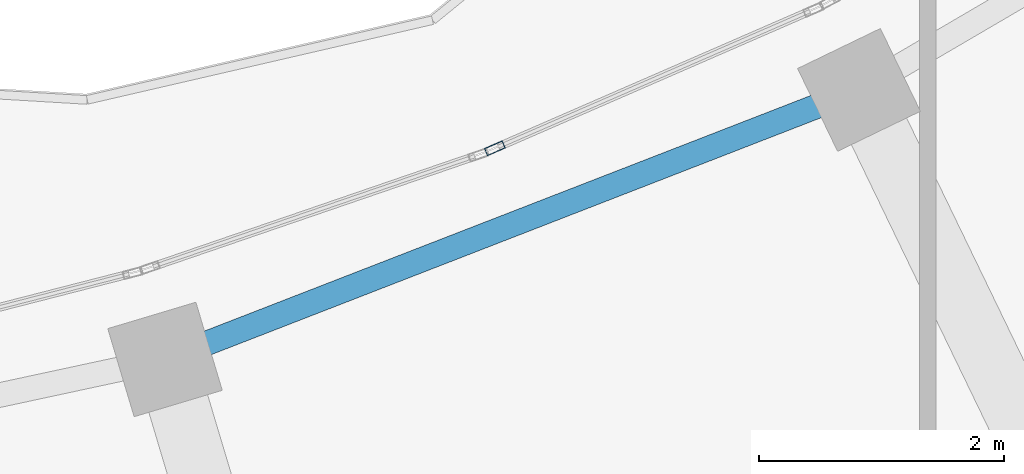
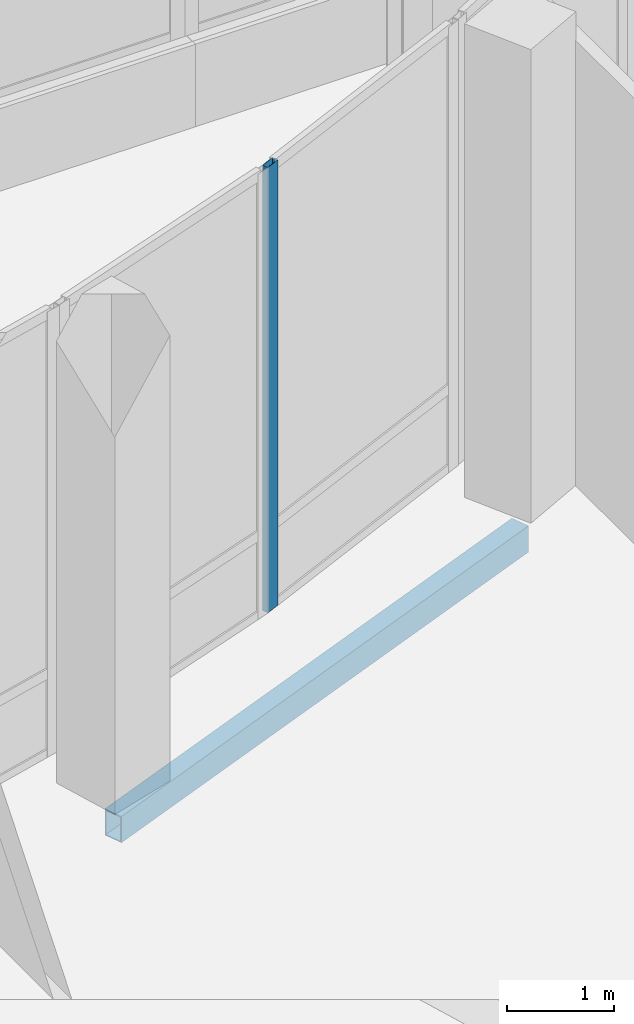
# One storey, part 39 of 158: 1 beam, 1 member, 1 element without a shape of its own.
"""IFC4 building model written with IfcOpenShell, lengths in metres."""

from ifc_helpers import new_model, si_unit, direction, frame, origin, origin_2d, place, context, subcontext, project, spatial, hollow_rectangle, extrude, material, material_profile, profile_set, type_object, element, aggregate, save


model = new_model("IFC4")

# Units and contexts
model_context = context("Model", 3, precision=1e-05, world=origin(), true_north=direction((0.0, 1.0)))
body_context = subcontext(model_context, "Body", "Model", "MODEL_VIEW")
ifc_project = project(units=[si_unit("LENGTHUNIT", "METRE"), si_unit("AREAUNIT", "SQUARE_METRE"), si_unit("VOLUMEUNIT", "CUBIC_METRE"), si_unit("PLANEANGLEUNIT", "RADIAN"), si_unit("MASSUNIT", "GRAM", prefix="KILO")], contexts=[model_context])

# Site, building, storey
site_placement = place(None, origin())
site = spatial("IfcSite", under=ifc_project, at=site_placement, CompositionType="ELEMENT")
building_placement = place(site_placement, origin())
building = spatial("IfcBuilding", under=site, at=building_placement, Name="Selatvlak General Hospital", CompositionType="ELEMENT")
storey_placement = place(building_placement, origin())
storey = spatial("IfcBuildingStorey", under=building, at=storey_placement, Name="L00", CompositionType="ELEMENT", Elevation=0.0)

# Beam
ifc_material_1 = material(Name="Steel S355", Category="steel")
ifc_material_profile_1 = material_profile(ifc_material_1, hollow_rectangle(XDim=0.199951171875, YDim=0.300048828125, WallThickness=0.011962890625, at=origin_2d()), Name="RHS 300x200x12")
ifc_profile_set_1 = profile_set([ifc_material_profile_1], Name="Steel S355")
beam_type = type_object("IfcBeamType", Name="BM-SP3", PredefinedType="SPANDREL", material=ifc_profile_set_1)
beam_placement = place(storey_placement, frame((66.97900390625, 42.861083984375, -0.5), z_axis=(0.932142667184, 0.362091215048, 0.0), x_axis=(-0.362091215048, 0.932142667184, 0.0)))
element("IfcBeam", 1, at=beam_placement, inside=storey, type_object=beam_type, Name="Beam BMR-L00-0359", PredefinedType="SPANDREL", context=body_context, shape_type="SweptSolid", body=[
    extrude(hollow_rectangle(XDim=0.199951171875, YDim=0.300048828125, WallThickness=0.011962890625, at=origin_2d()), origin(), (0.0, 0.0, 1.0), 6.072998046875),
])

# Curtain wall, member
ifc_material_2 = material(Name="Solar-control Low-E double glazing", Category="glass")
curtain_wall_type = type_object("IfcCurtainWallType", Name="CW-CW-02", PredefinedType="USERDEFINED", material=ifc_material_2)
curtain_wall_placement = place(storey_placement, origin())
curtain_wall = element("IfcCurtainWall", 2, at=curtain_wall_placement, inside=storey, type_object=curtain_wall_type, Name="Glazed facade curtain wall CW-L00-0082", ObjectType="UNITISED CURTAIN WALL", PredefinedType="USERDEFINED")
ifc_material_3 = material(Name="Dark anodised aluminium mullion", Category="aluminium")
ifc_material_profile_2 = material_profile(ifc_material_3, hollow_rectangle(XDim=0.06494140625, YDim=0.159912109375, WallThickness=0.00390625, at=origin_2d()), Name="AL-MUL 65x160x4")
ifc_profile_set_2 = profile_set([ifc_material_profile_2], Name="Dark anodised aluminium mullion")
member_type = type_object("IfcMemberType", Name="CWM-01", PredefinedType="MULLION", material=ifc_profile_set_2)
member_placement = place(storey_placement, frame((69.669677734375, 44.583984375, 0.0), z_axis=(0.0, 0.0, 1.0), x_axis=(-0.399117101371, 0.916899961497, 0.0)))
member = element("IfcMember", 3, at=member_placement, type_object=member_type, Name="CW-02 mullion 1", PredefinedType="MULLION", context=body_context, shape_type="SweptSolid", body=[
    extrude(hollow_rectangle(XDim=0.06494140625, YDim=0.159912109375, WallThickness=0.00390625, at=origin_2d()), origin(), (0.0, 0.0, 1.0), 5.080078125),
])
aggregate(curtain_wall, [member])

save(model, "model.ifc")
